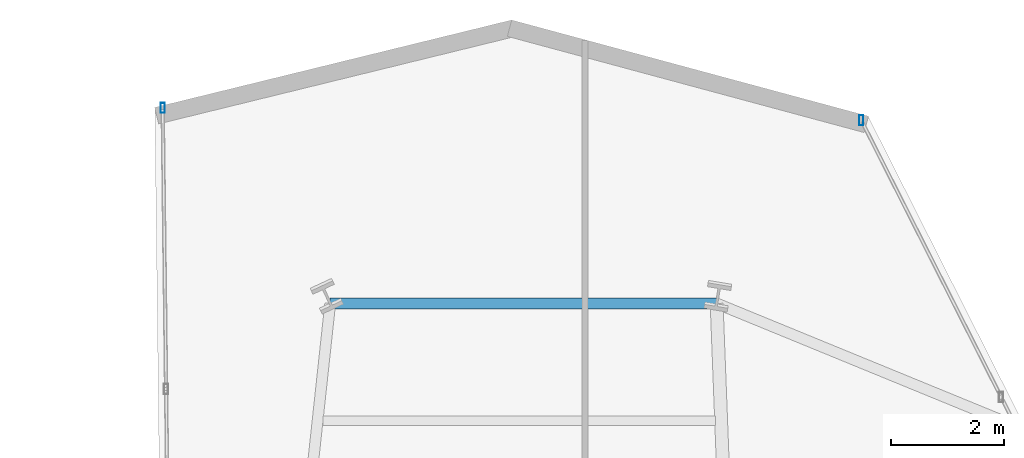
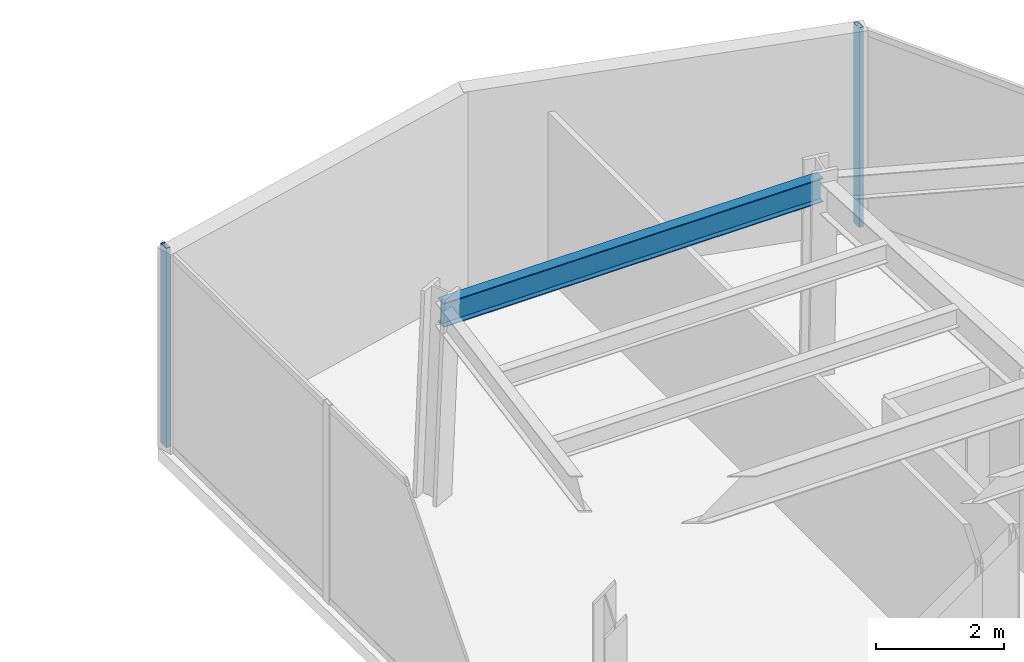
# One storey, part 18 of 25: 2 members, 1 beam, 2 elements without a shape of their own.
"""IFC4 building model written with IfcOpenShell, lengths in metres."""

from ifc_helpers import new_model, si_unit, direction, frame, origin, origin_2d, place, context, subcontext, project, spatial, hollow_rectangle, i_section, extrude, material, layer, layer_set, material_profile, profile_set, type_object, element, aggregate, save


model = new_model("IFC4")

# Units and contexts
model_context = context("Model", 3, precision=1e-05, world=origin(), true_north=direction((0.0, 1.0)))
body_context = subcontext(model_context, "Body", "Model", "MODEL_VIEW")
ifc_project = project(units=[si_unit("LENGTHUNIT", "METRE"), si_unit("AREAUNIT", "SQUARE_METRE"), si_unit("VOLUMEUNIT", "CUBIC_METRE"), si_unit("PLANEANGLEUNIT", "RADIAN"), si_unit("MASSUNIT", "GRAM", prefix="KILO")], contexts=[model_context])

# Site, building, storey
site_placement = place(None, origin())
site = spatial("IfcSite", under=ifc_project, at=site_placement, CompositionType="ELEMENT")
building_placement = place(site_placement, origin())
building = spatial("IfcBuilding", under=site, at=building_placement, Name="Veymaron Broadcast Tower", CompositionType="ELEMENT")
storey_placement = place(building_placement, frame((0.0, 0.0, 137.10009765625)))
storey = spatial("IfcBuildingStorey", under=building, at=storey_placement, Name="L31", CompositionType="ELEMENT", Elevation=137.10009765625)

# Beam
ifc_material_1 = material(Name="Structural steel ASTM A992 Gr 50", Category="steel")
ifc_material_profile_1 = material_profile(ifc_material_1, i_section(OverallWidth=0.19091796875, OverallDepth=0.4599609375, WebThickness=0.010009765625, FlangeThickness=0.01611328125, at=origin_2d()), Name="W460X82")
ifc_profile_set_1 = profile_set([ifc_material_profile_1], Name="Structural steel ASTM A992 Gr 50")
beam_type = type_object("IfcBeamType", Name="BM-SP1", PredefinedType="SPANDREL", material=ifc_profile_set_1)
beam_placement = place(storey_placement, frame((31.89990234375, 38.5, 3.579833984375), z_axis=(1.0, 0.0, 0.0), x_axis=(0.0, 1.0, 0.0)))
element("IfcBeam", 1, at=beam_placement, inside=storey, type_object=beam_type, Name="L31 primary structural floor girder", PredefinedType="SPANDREL", context=body_context, shape_type="SweptSolid", body=[
    extrude(i_section(OverallWidth=0.19091796875, OverallDepth=0.4599609375, WebThickness=0.010009765625, FlangeThickness=0.01611328125, at=origin_2d()), origin(), (0.0, 0.0, 1.0), 6.85009765625),
])

# Curtain wall, member
ifc_material_2 = material(Name="Anodised aluminium AA 6063-T6 and laminated low-E dark glass", Category="aluminium")
ifc_layer = layer(ifc_material_2, 0.179931640625)
ifc_layer_set = layer_set([ifc_layer], Name="Anodised aluminium AA 6063-T6 and laminated low-E dark glass")
curtain_wall_type = type_object("IfcCurtainWallType", Name="CW-SYS-03", PredefinedType="NOTDEFINED", material=ifc_layer_set)
curtain_wall_1_placement = place(storey_placement, origin())
curtain_wall_1 = element("IfcCurtainWall", 2, at=curtain_wall_1_placement, inside=storey, type_object=curtain_wall_type, Name="L31 dark-glass curtain wall CW-L31-E5-1", PredefinedType="NOTDEFINED")
ifc_material_3 = material(Name="Anodised aluminium AA 6063-T6", Category="aluminium")
ifc_material_profile_2 = material_profile(ifc_material_3, hollow_rectangle(XDim=0.074951171875, YDim=0.179931640625, WallThickness=0.0048828125, at=origin_2d()), Name="AL180X75X5")
ifc_profile_set_2 = profile_set([ifc_material_profile_2], Name="Anodised aluminium AA 6063-T6")
member_type = type_object("IfcMemberType", Name="CW-MUL-02", PredefinedType="MULLION", material=ifc_profile_set_2)
member_1_placement = place(storey_placement, frame((41.31494140625, 41.746826171875, 0.0), z_axis=(0.0, 0.0, 1.0), x_axis=(1.0, 0.0, 0.0)))
member_1 = element("IfcMember", 3, at=member_1_placement, type_object=member_type, Name="CW-L31-E5-1 mullion 2", PredefinedType="MULLION", context=body_context, shape_type="SweptSolid", body=[
    extrude(hollow_rectangle(XDim=0.074951171875, YDim=0.179931640625, WallThickness=0.0048828125, at=origin_2d()), origin(), (0.0, 0.0, 1.0), 3.809814453125),
])
aggregate(curtain_wall_1, [member_1])

curtain_wall_2_placement = place(storey_placement, origin())
curtain_wall_2 = element("IfcCurtainWall", 4, at=curtain_wall_2_placement, inside=storey, type_object=curtain_wall_type, Name="L31 dark-glass curtain wall CW-L31-E8-1", PredefinedType="NOTDEFINED")
member_2_placement = place(storey_placement, frame((28.929931640625, 41.966796875, 0.0), z_axis=(0.0, 0.0, 1.0), x_axis=(1.0, 0.0, 0.0)))
member_2 = element("IfcMember", 5, at=member_2_placement, type_object=member_type, Name="CW-L31-E8-1 mullion 0", PredefinedType="MULLION", context=body_context, shape_type="SweptSolid", body=[
    extrude(hollow_rectangle(XDim=0.074951171875, YDim=0.179931640625, WallThickness=0.0048828125, at=origin_2d()), origin(), (0.0, 0.0, 1.0), 3.809814453125),
])
aggregate(curtain_wall_2, [member_2])

save(model, "model.ifc")
